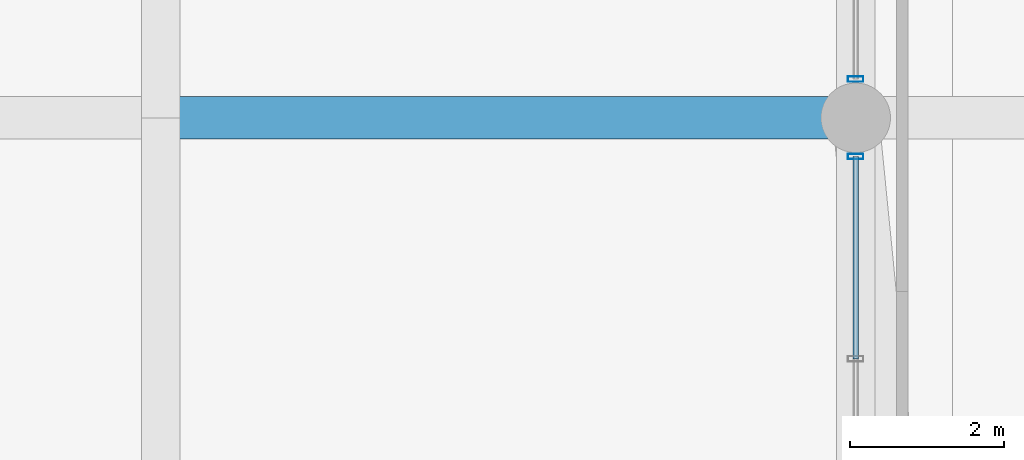
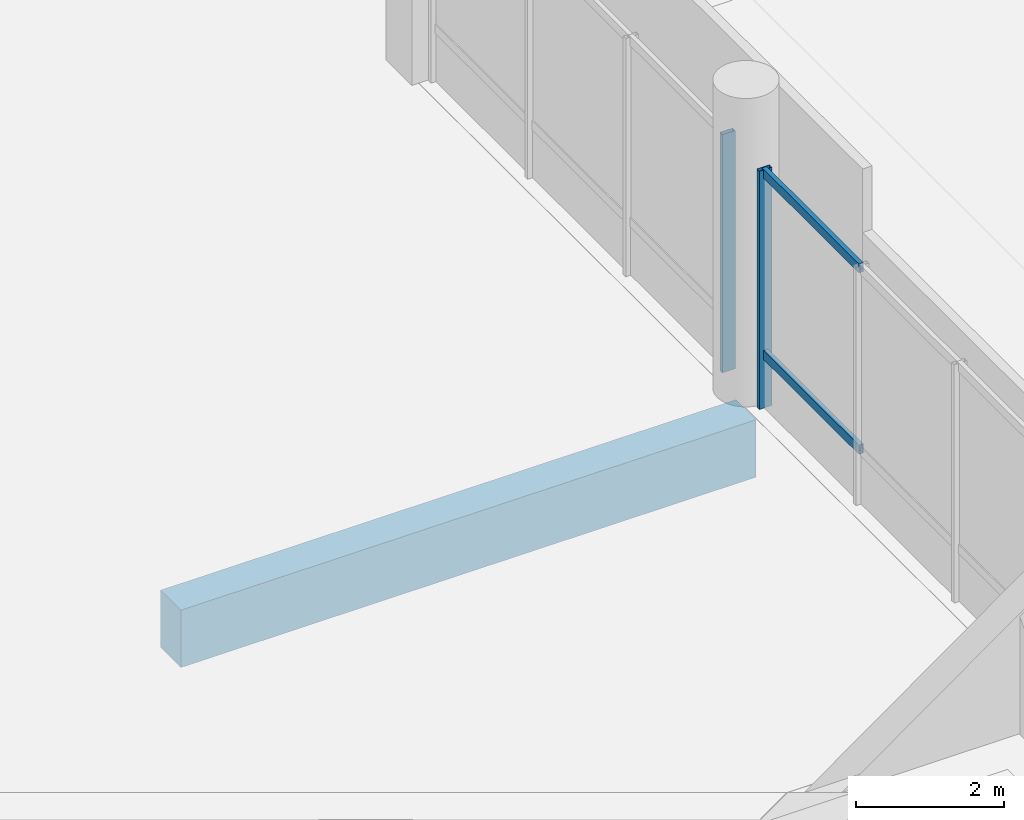
# One storey, part 28 of 73: 4 members, 1 beam, 2 elements without a shape of their own.
"""IFC4 building model written with IfcOpenShell, lengths in metres."""

from ifc_helpers import new_model, si_unit, direction, frame, origin, origin_2d, place, context, subcontext, project, spatial, rectangle, hollow_rectangle, extrude, material, layer, layer_set, material_profile, profile_set, type_object, element, aggregate, save


model = new_model("IFC4")

# Units and contexts
model_context = context("Model", 3, precision=1e-05, world=origin(), true_north=direction((0.0, 1.0)))
body_context = subcontext(model_context, "Body", "Model", "MODEL_VIEW")
ifc_project = project(units=[si_unit("LENGTHUNIT", "METRE"), si_unit("AREAUNIT", "SQUARE_METRE"), si_unit("VOLUMEUNIT", "CUBIC_METRE"), si_unit("PLANEANGLEUNIT", "RADIAN"), si_unit("MASSUNIT", "GRAM", prefix="KILO")], contexts=[model_context])

# Site, building, storey
site_placement = place(None, origin())
site = spatial("IfcSite", under=ifc_project, at=site_placement, CompositionType="ELEMENT")
building_placement = place(site_placement, origin())
building = spatial("IfcBuilding", under=site, at=building_placement, Name="Meriwether Solvik Hall", CompositionType="ELEMENT")
storey_placement = place(building_placement, origin())
storey = spatial("IfcBuildingStorey", under=building, at=storey_placement, Name="L00", CompositionType="ELEMENT", Elevation=0.0)

# Beam
ifc_material_1 = material(Name="Concrete C40/50", Category="concrete")
ifc_material_profile_1 = material_profile(ifc_material_1, rectangle(XDim=0.550048828125, YDim=0.949951171875, at=origin_2d()), Name="RCB-550X950")
ifc_profile_set_1 = profile_set([ifc_material_profile_1], Name="Concrete C40/50")
beam_type = type_object("IfcBeamType", Name="BM-RC-550X950", PredefinedType="BEAM", material=ifc_profile_set_1)
beam_placement = place(storey_placement, frame((50.39990234375, 84.0, -0.8349609375), z_axis=(1.0, 0.0, 0.0), x_axis=(0.0, 1.0, 0.0)))
element("IfcBeam", 1, at=beam_placement, inside=storey, type_object=beam_type, Name="Podium Girder J:6-7 (L00)", PredefinedType="BEAM", context=body_context, shape_type="SweptSolid", body=[
    extrude(rectangle(XDim=0.550048828125, YDim=0.949951171875, at=origin_2d()), origin(), (0.0, 0.0, 1.0), 9.0),
])

# Curtain wall, member
ifc_material_2 = material(Name="Thermally Broken Anodised Aluminium 6063-T6 and Low-E Glass", Category="aluminium")
ifc_layer = layer(ifc_material_2, 0.179931640625)
ifc_layer_set = layer_set([ifc_layer], Name="Thermally Broken Anodised Aluminium 6063-T6 and Low-E Glass")
curtain_wall_type = type_object("IfcCurtainWallType", Name="CW-SF-POD-A", PredefinedType="USERDEFINED", material=ifc_layer_set)
curtain_wall_1_placement = place(storey_placement, origin())
curtain_wall_1 = element("IfcCurtainWall", 2, at=curtain_wall_1_placement, inside=storey, type_object=curtain_wall_type, Name="Curtain Wall wing_Y7_9_54 (L00)", ObjectType="STICK STOREFRONT GLAZING", PredefinedType="USERDEFINED")
ifc_material_3 = material(Name="Anodised Aluminium 6063-T6", Category="aluminium")
ifc_material_profile_2 = material_profile(ifc_material_3, hollow_rectangle(XDim=0.070068359375, YDim=0.199951171875, WallThickness=0.0048828125, at=origin_2d()), Name="CWM-70X200")
ifc_profile_set_2 = profile_set([ifc_material_profile_2], Name="Anodised Aluminium 6063-T6")
member_type_1 = type_object("IfcMemberType", Name="CW-MUL-70X200", PredefinedType="MULLION", material=ifc_profile_set_2)
member_1_placement = place(storey_placement, frame((59.39990234375, 83.5, 0.0), z_axis=(0.0, 0.0, 1.0), x_axis=(0.0, 1.0, 0.0)))
member_1 = element("IfcMember", 3, at=member_1_placement, type_object=member_type_1, Name="Curtain Wall Mullion 4", PredefinedType="MULLION", context=body_context, shape_type="SweptSolid", body=[
    extrude(hollow_rectangle(XDim=0.070068359375, YDim=0.199951171875, WallThickness=0.0048828125, at=origin_2d()), origin(), (0.0, 0.0, 1.0), 3.93994140625),
])

curtain_wall_2_placement = place(storey_placement, origin())
curtain_wall_2 = element("IfcCurtainWall", 4, at=curtain_wall_2_placement, inside=storey, type_object=curtain_wall_type, Name="Curtain Wall wing_Y7_10_55 (L00)", ObjectType="STICK STOREFRONT GLAZING", PredefinedType="USERDEFINED")
member_2_placement = place(storey_placement, frame((59.39990234375, 84.5, 0.0), z_axis=(0.0, 0.0, 1.0), x_axis=(0.0, 1.0, 0.0)))
member_2 = element("IfcMember", 5, at=member_2_placement, type_object=member_type_1, Name="Curtain Wall Mullion 1", PredefinedType="MULLION", context=body_context, shape_type="SweptSolid", body=[
    extrude(hollow_rectangle(XDim=0.070068359375, YDim=0.199951171875, WallThickness=0.0048828125, at=origin_2d()), origin(), (0.0, 0.0, 1.0), 3.93994140625),
])
aggregate(curtain_wall_2, [member_2])

# Member
ifc_material_4 = material(Name="Anodised Aluminium 6063-T6", Category="aluminium")
ifc_material_profile_3 = material_profile(ifc_material_4, hollow_rectangle(XDim=0.070068359375, YDim=0.14990234375, WallThickness=0.0048828125, at=origin_2d()), Name="CWT-70X150")
ifc_profile_set_3 = profile_set([ifc_material_profile_3], Name="Anodised Aluminium 6063-T6")
member_type_2 = type_object("IfcMemberType", Name="CW-TRN-70X150", PredefinedType="USERDEFINED", material=ifc_profile_set_3)
member_3_placement = place(storey_placement, frame((59.39990234375, 80.87939453125, 0.8798828125), z_axis=(0.0, 1.0, 0.0), x_axis=(-1.0, 0.0, 0.0)))
member_3 = element("IfcMember", 6, at=member_3_placement, type_object=member_type_2, Name="Curtain Wall Transom 3-sill", ObjectType="TRANSOM", PredefinedType="USERDEFINED", context=body_context, shape_type="SweptSolid", body=[
    extrude(hollow_rectangle(XDim=0.070068359375, YDim=0.14990234375, WallThickness=0.0048828125, at=origin_2d()), origin(), (0.0, 0.0, 1.0), 2.62060546875),
])

member_4_placement = place(storey_placement, frame((59.39990234375, 80.87939453125, 3.8798828125), z_axis=(0.0, 1.0, 0.0), x_axis=(-1.0, 0.0, 0.0)))
member_4 = element("IfcMember", 7, at=member_4_placement, type_object=member_type_2, Name="Curtain Wall Transom 3-head", ObjectType="TRANSOM", PredefinedType="USERDEFINED", context=body_context, shape_type="SweptSolid", body=[
    extrude(hollow_rectangle(XDim=0.070068359375, YDim=0.14990234375, WallThickness=0.0048828125, at=origin_2d()), origin(), (0.0, 0.0, 1.0), 2.62060546875),
])

aggregate(curtain_wall_1, [member_1, member_3, member_4])

save(model, "model.ifc")
